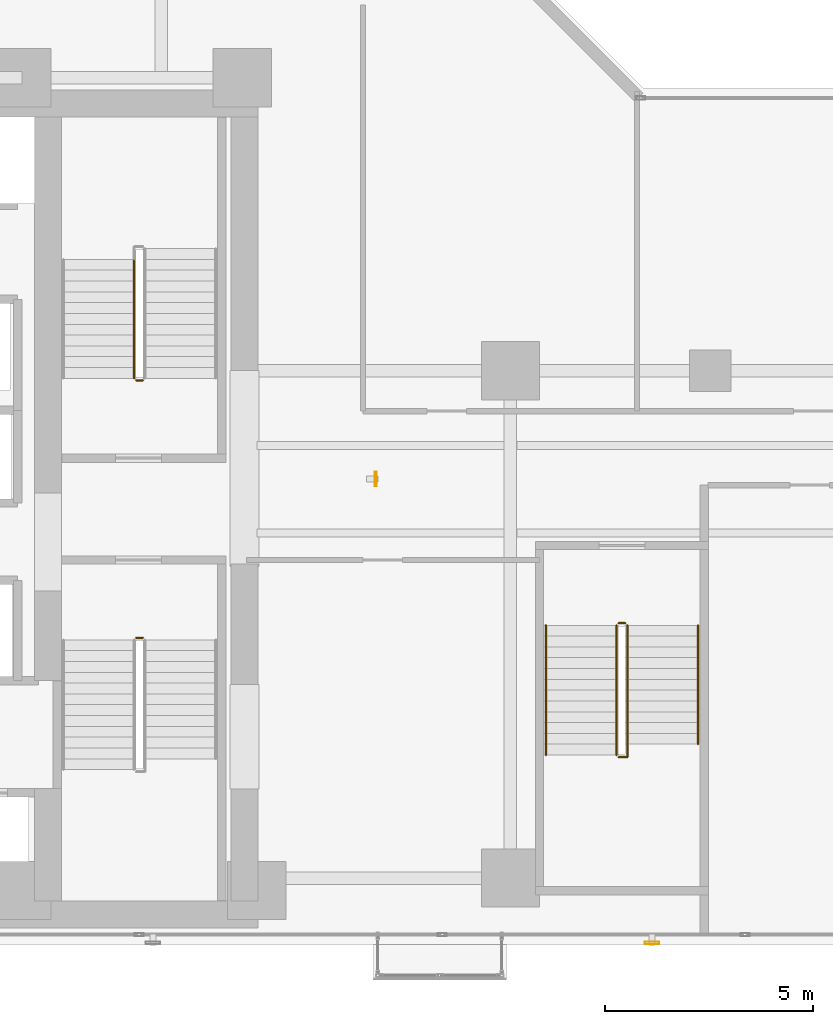
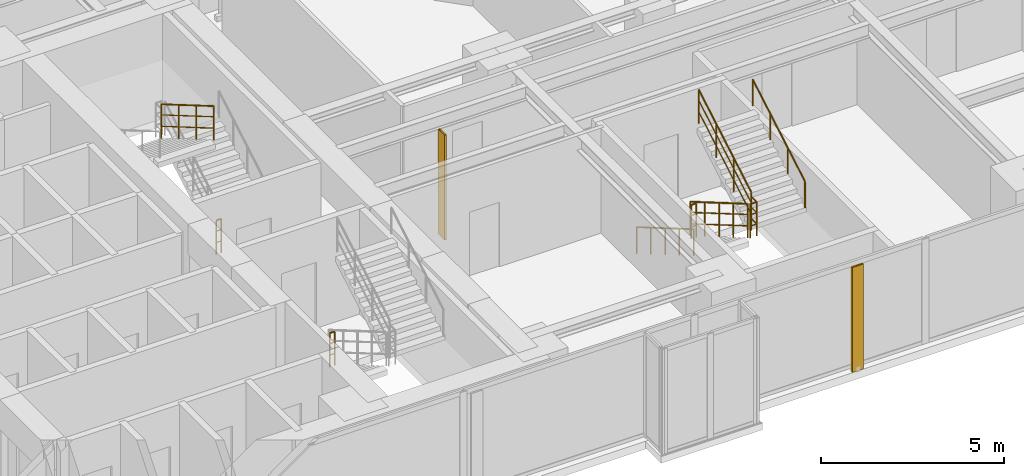
# One storey, part 24 of 25: 9 railings, 2 shading devices.
"""IFC4 building model written with IfcOpenShell, lengths in metres."""

from ifc_helpers import new_model, si_unit, direction, frame, origin, origin_2d, place, context, subcontext, project, spatial, hollow_rectangle, circle, extrude, material, material_profile, profile_set, type_object, element, save


model = new_model("IFC4")

# Units and contexts
model_context = context("Model", 3, precision=1e-05, world=origin(), true_north=direction((0.0, 1.0)))
body_context = subcontext(model_context, "Body", "Model", "MODEL_VIEW")
ifc_project = project(units=[si_unit("LENGTHUNIT", "METRE"), si_unit("AREAUNIT", "SQUARE_METRE"), si_unit("VOLUMEUNIT", "CUBIC_METRE"), si_unit("PLANEANGLEUNIT", "RADIAN"), si_unit("MASSUNIT", "GRAM", prefix="KILO")], contexts=[model_context])

# Site, building, storey
site_placement = place(None, origin())
site = spatial("IfcSite", under=ifc_project, at=site_placement, CompositionType="ELEMENT")
building_placement = place(site_placement, origin())
building = spatial("IfcBuilding", under=site, at=building_placement, Name="Kolvaren Waterfront Exchange", CompositionType="ELEMENT")
storey_placement = place(building_placement, frame((0.0, 0.0, 106.89990234375)))
storey = spatial("IfcBuildingStorey", under=building, at=storey_placement, Name="L27", CompositionType="ELEMENT", Elevation=106.89990234375)

# Shading devices
ifc_material_1 = material(Name="Anodised bronze aluminium 6063-T6", Category="aluminium")
ifc_material_profile = material_profile(ifc_material_1, hollow_rectangle(XDim=0.06005859375, YDim=0.35009765625, WallThickness=0.0048828125, at=origin_2d()), Name="BRZ-FIN-350x60x5")
ifc_profile_set = profile_set([ifc_material_profile], Name="Anodised bronze aluminium 6063-T6")
shading_device_type = type_object("IfcShadingDeviceType", Name="ARC-FIN-350", PredefinedType="USERDEFINED", material=ifc_profile_set)
for number, where, z_axis, x_axis, name in (
    (1, (30.60009765625, 3.639892578125, 0.0), (0.0, 0.0, 1.0), (0.0, -1.0, 0.0), "L27 anodised bronze solar shading fin FIN-L27-S3"),
    (2, (23.9599609375, 14.800048828125, 0.0), (0.0, 0.0, 1.0), (1.0, 0.0, 0.0), "L27 anodised bronze solar shading fin FIN-L27-E1"),
):
    element("IfcShadingDevice", number, at=place(storey_placement, frame(where, z_axis=z_axis, x_axis=x_axis)), inside=storey, type_object=shading_device_type, Name=name, ObjectType="SOLAR FIN", PredefinedType="USERDEFINED", context=body_context, shape_type="SweptSolid", body=[
        extrude(hollow_rectangle(XDim=0.06005859375, YDim=0.35009765625, WallThickness=0.0048828125, at=origin_2d()), origin(), (0.0, 0.0, 1.0), 3.5),
    ])

# Railings
ifc_material_2 = material(Name="Stainless steel 316", Category="steel")
railing_type_1 = type_object("IfcRailingType", Name="ARC-GUARD-STAIR", PredefinedType="GUARDRAIL", material=ifc_material_2)
railing_1_placement = place(storey_placement, frame((18.199951171875, 10.97998046875, 0.0)))
element("IfcRailing", 3, at=railing_1_placement, inside=storey, type_object=railing_type_1, Name="L27 ST1 stair guard 4", PredefinedType="GUARDRAIL", context=body_context, shape_type="SweptSolid", body=[
    extrude(circle(Radius=0.02392578125, at=origin_2d()), frame((0.0, 0.0, 1.1259765625), z_axis=(1.0, 0.0, 0.0), x_axis=(0.0, 1.0, 0.0)), (0.0, 0.0, 1.0), 0.16015625),
    extrude(circle(Radius=0.01611328125, at=origin_2d()), frame((0.0, 0.0, 0.390869140625), z_axis=(1.0, 0.0, 0.0), x_axis=(0.0, 1.0, 0.0)), (0.0, 0.0, 1.0), 0.16015625),
    extrude(circle(Radius=0.01611328125, at=origin_2d()), frame((0.0, 0.0, 0.7705078125), z_axis=(1.0, 0.0, 0.0), x_axis=(0.0, 1.0, 0.0)), (0.0, 0.0, 1.0), 0.16015625),
    extrude(circle(Radius=0.02099609375, at=origin_2d()), origin(), (0.0, 0.0, 1.0), 1.101806640625),
    extrude(circle(Radius=0.02099609375, at=origin_2d()), frame((0.16015625, 0.0, 0.0)), (0.0, 0.0, 1.0), 1.101806640625),
])
railing_2_placement = place(storey_placement, frame((18.14990234375, 20.080078125, 2.128173828125)))
element("IfcRailing", 4, at=railing_2_placement, inside=storey, type_object=railing_type_1, Name="L27 ST2 stair guard 3", PredefinedType="GUARDRAIL", context=body_context, shape_type="SweptSolid", body=[
    extrude(circle(Radius=0.02392578125, at=origin_2d()), frame((0.0, 0.0, 1.1259765625), z_axis=(0.0, -0.863321491973, 0.504654338629), x_axis=(1.0, 0.0, 0.0)), (0.0, 0.0, 1.0), 3.31298828125),
    extrude(circle(Radius=0.01611328125, at=origin_2d()), frame((0.0, 0.0, 0.390869140625), z_axis=(0.0, -0.863321491973, 0.504654338629), x_axis=(1.0, 0.0, 0.0)), (0.0, 0.0, 1.0), 3.31298828125),
    extrude(circle(Radius=0.01611328125, at=origin_2d()), frame((0.0, 0.0, 0.7705078125), z_axis=(0.0, -0.863321491973, 0.504654338629), x_axis=(1.0, 0.0, 0.0)), (0.0, 0.0, 1.0), 3.31298828125),
    extrude(circle(Radius=0.02099609375, at=origin_2d()), origin(), (0.0, 0.0, 1.0), 1.101806640625),
    extrude(circle(Radius=0.02099609375, at=origin_2d()), frame((0.0, -0.953369140625, 0.557373046875)), (0.0, 0.0, 1.0), 1.101806640625),
    extrude(circle(Radius=0.02099609375, at=origin_2d()), frame((0.0, -1.90673828125, 1.114501953125)), (0.0, 0.0, 1.0), 1.101806640625),
    extrude(circle(Radius=0.02099609375, at=origin_2d()), frame((0.0, -2.860107421875, 1.671875)), (0.0, 0.0, 1.0), 1.101806640625),
])
railing_3_placement = place(storey_placement, frame((18.360107421875, 17.169921875, 0.0)))
element("IfcRailing", 5, at=railing_3_placement, inside=storey, type_object=railing_type_1, Name="L27 ST2 stair guard 4", PredefinedType="GUARDRAIL", context=body_context, shape_type="SweptSolid", body=[
    extrude(circle(Radius=0.02392578125, at=origin_2d()), frame((0.0, 0.0, 1.1259765625), z_axis=(-1.0, 0.0, 0.0), x_axis=(0.0, -1.0, 0.0)), (0.0, 0.0, 1.0), 0.16015625),
    extrude(circle(Radius=0.01611328125, at=origin_2d()), frame((0.0, 0.0, 0.390869140625), z_axis=(-1.0, 0.0, 0.0), x_axis=(0.0, -1.0, 0.0)), (0.0, 0.0, 1.0), 0.16015625),
    extrude(circle(Radius=0.01611328125, at=origin_2d()), frame((0.0, 0.0, 0.7705078125), z_axis=(-1.0, 0.0, 0.0), x_axis=(0.0, -1.0, 0.0)), (0.0, 0.0, 1.0), 0.16015625),
    extrude(circle(Radius=0.02099609375, at=origin_2d()), origin(), (0.0, 0.0, 1.0), 1.101806640625),
    extrude(circle(Radius=0.02099609375, at=origin_2d()), frame((-0.16015625, 0.0, 0.0)), (0.0, 0.0, 1.0), 1.101806640625),
])
railing_4_placement = place(storey_placement, frame((29.75, 11.280029296875, 0.152099609375)))
element("IfcRailing", 6, at=railing_4_placement, inside=storey, type_object=railing_type_1, Name="L27 ST3 stair guard 1", PredefinedType="GUARDRAIL", context=body_context, shape_type="SweptSolid", body=[
    extrude(circle(Radius=0.02392578125, at=origin_2d()), frame((0.0, 0.0, 1.1259765625), z_axis=(0.0, -0.86330811405, 0.504677223793), x_axis=(1.0, 0.0, 0.0)), (0.0, 0.0, 1.0), 3.6142578125),
    extrude(circle(Radius=0.01611328125, at=origin_2d()), frame((0.0, 0.0, 0.390869140625), z_axis=(0.0, -0.86330811405, 0.504677223793), x_axis=(1.0, 0.0, 0.0)), (0.0, 0.0, 1.0), 3.6142578125),
    extrude(circle(Radius=0.01611328125, at=origin_2d()), frame((0.0, 0.0, 0.7705078125), z_axis=(0.0, -0.86330811405, 0.504677223793), x_axis=(1.0, 0.0, 0.0)), (0.0, 0.0, 1.0), 3.6142578125),
    extrude(circle(Radius=0.02099609375, at=origin_2d()), origin(), (0.0, 0.0, 1.0), 1.101806640625),
    extrude(circle(Radius=0.02099609375, at=origin_2d()), frame((0.0, -0.780029296875, 0.4560546875)), (0.0, 0.0, 1.0), 1.101806640625),
    extrude(circle(Radius=0.02099609375, at=origin_2d()), frame((0.0, -1.56005859375, 0.912109375)), (0.0, 0.0, 1.0), 1.101806640625),
    extrude(circle(Radius=0.02099609375, at=origin_2d()), frame((0.0, -2.340087890625, 1.367919921875)), (0.0, 0.0, 1.0), 1.101806640625),
    extrude(circle(Radius=0.02099609375, at=origin_2d()), frame((0.0, -3.1201171875, 1.823974609375)), (0.0, 0.0, 1.0), 1.101806640625),
])
railing_5_placement = place(storey_placement, frame((29.800048828125, 8.110107421875, 1.97607421875)))
element("IfcRailing", 7, at=railing_5_placement, inside=storey, type_object=railing_type_1, Name="L27 ST3 stair guard 2", PredefinedType="GUARDRAIL", context=body_context, shape_type="SweptSolid", body=[
    extrude(circle(Radius=0.02392578125, at=origin_2d()), frame((0.0, 0.0, 1.1259765625), z_axis=(1.0, 0.0, 0.0), x_axis=(0.0, 1.0, 0.0)), (0.0, 0.0, 1.0), 0.2099609375),
    extrude(circle(Radius=0.01611328125, at=origin_2d()), frame((0.0, 0.0, 0.390869140625), z_axis=(1.0, 0.0, 0.0), x_axis=(0.0, 1.0, 0.0)), (0.0, 0.0, 1.0), 0.2099609375),
    extrude(circle(Radius=0.01611328125, at=origin_2d()), frame((0.0, 0.0, 0.7705078125), z_axis=(1.0, 0.0, 0.0), x_axis=(0.0, 1.0, 0.0)), (0.0, 0.0, 1.0), 0.2099609375),
    extrude(circle(Radius=0.02392578125, at=origin_2d()), frame((0.2099609375, 0.0, 1.1259765625), z_axis=(0.0, 1.0, 0.0), x_axis=(-1.0, 0.0, 0.0)), (0.0, 0.0, 1.0), 0.309814453125),
    extrude(circle(Radius=0.01611328125, at=origin_2d()), frame((0.2099609375, 0.0, 0.390869140625), z_axis=(0.0, 1.0, 0.0), x_axis=(-1.0, 0.0, 0.0)), (0.0, 0.0, 1.0), 0.309814453125),
    extrude(circle(Radius=0.01611328125, at=origin_2d()), frame((0.2099609375, 0.0, 0.7705078125), z_axis=(0.0, 1.0, 0.0), x_axis=(-1.0, 0.0, 0.0)), (0.0, 0.0, 1.0), 0.309814453125),
    extrude(circle(Radius=0.02099609375, at=origin_2d()), origin(), (0.0, 0.0, 1.0), 1.101806640625),
    extrude(circle(Radius=0.02099609375, at=origin_2d()), frame((0.2099609375, 0.0, 0.0)), (0.0, 0.0, 1.0), 1.101806640625),
    extrude(circle(Radius=0.02099609375, at=origin_2d()), frame((0.2099609375, 0.309814453125, 0.0)), (0.0, 0.0, 1.0), 1.101806640625),
])
railing_6_placement = place(storey_placement, frame((30.010009765625, 8.419921875, 2.128173828125)))
element("IfcRailing", 8, at=railing_6_placement, inside=storey, type_object=railing_type_1, Name="L27 ST3 stair guard 3", PredefinedType="GUARDRAIL", context=body_context, shape_type="SweptSolid", body=[
    extrude(circle(Radius=0.02392578125, at=origin_2d()), frame((0.0, 0.0, 1.1259765625), z_axis=(0.0, 0.863321491973, 0.504654338629), x_axis=(-1.0, 0.0, 0.0)), (0.0, 0.0, 1.0), 3.31298828125),
    extrude(circle(Radius=0.01611328125, at=origin_2d()), frame((0.0, 0.0, 0.390869140625), z_axis=(0.0, 0.863321491973, 0.504654338629), x_axis=(-1.0, 0.0, 0.0)), (0.0, 0.0, 1.0), 3.31298828125),
    extrude(circle(Radius=0.01611328125, at=origin_2d()), frame((0.0, 0.0, 0.7705078125), z_axis=(0.0, 0.863321491973, 0.504654338629), x_axis=(-1.0, 0.0, 0.0)), (0.0, 0.0, 1.0), 3.31298828125),
    extrude(circle(Radius=0.02099609375, at=origin_2d()), origin(), (0.0, 0.0, 1.0), 1.101806640625),
    extrude(circle(Radius=0.02099609375, at=origin_2d()), frame((0.0, 0.953369140625, 0.557373046875)), (0.0, 0.0, 1.0), 1.101806640625),
    extrude(circle(Radius=0.02099609375, at=origin_2d()), frame((0.0, 1.90673828125, 1.114501953125)), (0.0, 0.0, 1.0), 1.101806640625),
    extrude(circle(Radius=0.02099609375, at=origin_2d()), frame((0.0, 2.860107421875, 1.671875)), (0.0, 0.0, 1.0), 1.101806640625),
])
railing_7_placement = place(storey_placement, frame((29.800048828125, 11.330078125, 0.0)))
element("IfcRailing", 9, at=railing_7_placement, inside=storey, type_object=railing_type_1, Name="L27 ST3 stair guard 4", PredefinedType="GUARDRAIL", context=body_context, shape_type="SweptSolid", body=[
    extrude(circle(Radius=0.02392578125, at=origin_2d()), frame((0.0, 0.0, 1.1259765625), z_axis=(1.0, 0.0, 0.0), x_axis=(0.0, 1.0, 0.0)), (0.0, 0.0, 1.0), 0.159912109375),
    extrude(circle(Radius=0.01611328125, at=origin_2d()), frame((0.0, 0.0, 0.390869140625), z_axis=(1.0, 0.0, 0.0), x_axis=(0.0, 1.0, 0.0)), (0.0, 0.0, 1.0), 0.159912109375),
    extrude(circle(Radius=0.01611328125, at=origin_2d()), frame((0.0, 0.0, 0.7705078125), z_axis=(1.0, 0.0, 0.0), x_axis=(0.0, 1.0, 0.0)), (0.0, 0.0, 1.0), 0.159912109375),
    extrude(circle(Radius=0.02099609375, at=origin_2d()), origin(), (0.0, 0.0, 1.0), 1.101806640625),
    extrude(circle(Radius=0.02099609375, at=origin_2d()), frame((0.159912109375, 0.0, 0.0)), (0.0, 0.0, 1.0), 1.101806640625),
])
railing_type_2 = type_object("IfcRailingType", Name="ARC-HANDRAIL-900", PredefinedType="HANDRAIL", material=ifc_material_2)
railing_8_placement = place(storey_placement, frame((28.050048828125, 11.280029296875, 0.152099609375)))
element("IfcRailing", 10, at=railing_8_placement, inside=storey, type_object=railing_type_2, Name="L27 ST3 stair handrail 1", PredefinedType="HANDRAIL", context=body_context, shape_type="SweptSolid", body=[
    extrude(circle(Radius=0.02392578125, at=origin_2d()), frame((0.0, 0.0, 0.8759765625), z_axis=(0.0, -0.86330811405, 0.504677223793), x_axis=(1.0, 0.0, 0.0)), (0.0, 0.0, 1.0), 3.6142578125),
    extrude(circle(Radius=0.02099609375, at=origin_2d()), origin(), (0.0, 0.0, 1.0), 0.851806640625),
    extrude(circle(Radius=0.02099609375, at=origin_2d()), frame((0.0, -0.780029296875, 0.4560546875)), (0.0, 0.0, 1.0), 0.851806640625),
    extrude(circle(Radius=0.02099609375, at=origin_2d()), frame((0.0, -1.56005859375, 0.912109375)), (0.0, 0.0, 1.0), 0.851806640625),
    extrude(circle(Radius=0.02099609375, at=origin_2d()), frame((0.0, -2.340087890625, 1.367919921875)), (0.0, 0.0, 1.0), 0.851806640625),
    extrude(circle(Radius=0.02099609375, at=origin_2d()), frame((0.0, -3.1201171875, 1.823974609375)), (0.0, 0.0, 1.0), 0.851806640625),
])
railing_9_placement = place(storey_placement, frame((31.7099609375, 8.419921875, 2.128173828125)))
element("IfcRailing", 11, at=railing_9_placement, inside=storey, type_object=railing_type_2, Name="L27 ST3 stair handrail 2", PredefinedType="HANDRAIL", context=body_context, shape_type="SweptSolid", body=[
    extrude(circle(Radius=0.02392578125, at=origin_2d()), frame((0.0, 0.0, 0.8759765625), z_axis=(0.0, 0.863321491973, 0.504654338629), x_axis=(-1.0, 0.0, 0.0)), (0.0, 0.0, 1.0), 3.31298828125),
    extrude(circle(Radius=0.02099609375, at=origin_2d()), origin(), (0.0, 0.0, 1.0), 0.851806640625),
    extrude(circle(Radius=0.02099609375, at=origin_2d()), frame((0.0, 0.953369140625, 0.557373046875)), (0.0, 0.0, 1.0), 0.851806640625),
    extrude(circle(Radius=0.02099609375, at=origin_2d()), frame((0.0, 1.90673828125, 1.114501953125)), (0.0, 0.0, 1.0), 0.851806640625),
    extrude(circle(Radius=0.02099609375, at=origin_2d()), frame((0.0, 2.860107421875, 1.671875)), (0.0, 0.0, 1.0), 0.851806640625),
])

save(model, "model.ifc")
